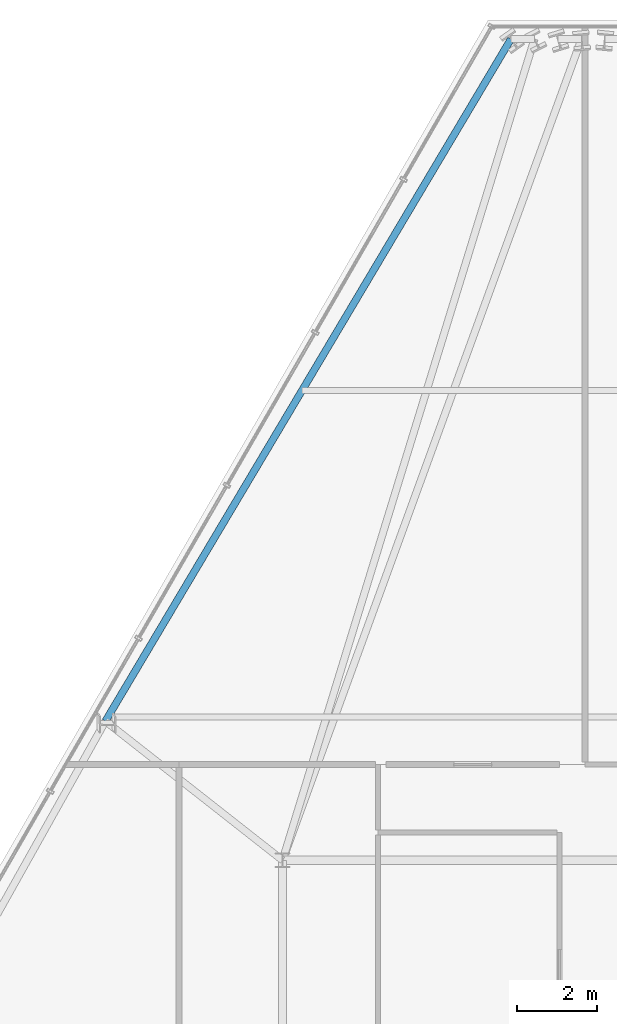
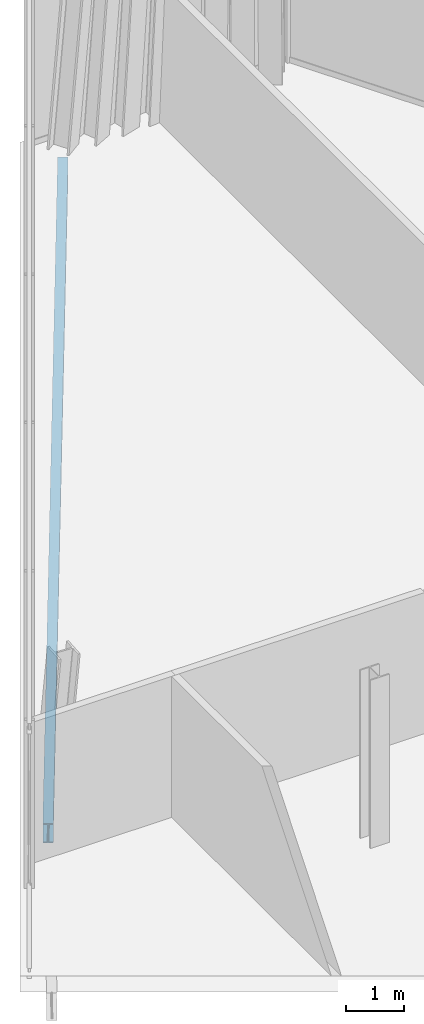
# One storey, part 16 of 35: 1 beam.
"""IFC4 building model written with IfcOpenShell, lengths in metres."""

from ifc_helpers import new_model, si_unit, direction, frame, origin, origin_2d, place, context, subcontext, project, spatial, i_section, extrude, material, material_profile, profile_set, type_object, element, save


model = new_model("IFC4")

# Units and contexts
model_context = context("Model", 3, precision=1e-05, world=origin(), true_north=direction((0.0, 1.0)))
body_context = subcontext(model_context, "Body", "Model", "MODEL_VIEW")
ifc_project = project(units=[si_unit("LENGTHUNIT", "METRE"), si_unit("AREAUNIT", "SQUARE_METRE"), si_unit("VOLUMEUNIT", "CUBIC_METRE"), si_unit("PLANEANGLEUNIT", "RADIAN"), si_unit("MASSUNIT", "GRAM", prefix="KILO")], contexts=[model_context])

# Site, building, storey
site_placement = place(None, origin())
site = spatial("IfcSite", under=ifc_project, at=site_placement, CompositionType="ELEMENT")
building_placement = place(site_placement, origin())
building = spatial("IfcBuilding", under=site, at=building_placement, Name="Ndaravel Arena Tower", CompositionType="ELEMENT")
storey_placement = place(building_placement, frame((0.0, 0.0, 275.0)))
storey = spatial("IfcBuildingStorey", under=building, at=storey_placement, Name="L67", CompositionType="ELEMENT", Elevation=275.0)

# Beam
ifc_material = material(Name="Steel S355", Category="steel")
ifc_material_profile = material_profile(ifc_material, i_section(OverallWidth=0.179931640625, OverallDepth=0.39990234375, WebThickness=0.008544921875, FlangeThickness=0.013427734375, FilletRadius=0.02099609375, at=origin_2d()), Name="IPE 400")
ifc_profile_set = profile_set([ifc_material_profile], Name="Steel S355")
beam_type = type_object("IfcBeamType", Name="BM-SPAN-IPE400", PredefinedType="SPANDREL", material=ifc_profile_set)
beam_placement = place(storey_placement, frame((39.934814453125, 43.818115234375, -0.419921875), z_axis=(-0.511058754537, -0.85954578087, 0.0), x_axis=(0.85954578087, -0.511058754537, 0.0)))
element("IfcBeam", 1, at=beam_placement, inside=storey, type_object=beam_type, Name="L67 Perimeter Spandrel Beam SP-18", PredefinedType="SPANDREL", context=body_context, shape_type="SweptSolid", body=[
    extrude(i_section(OverallWidth=0.179931640625, OverallDepth=0.39990234375, WebThickness=0.008544921875, FlangeThickness=0.013427734375, FilletRadius=0.02099609375, at=origin_2d()), origin(), (0.0, 0.0, 1.0), 19.923583984375),
])

save(model, "model.ifc")
